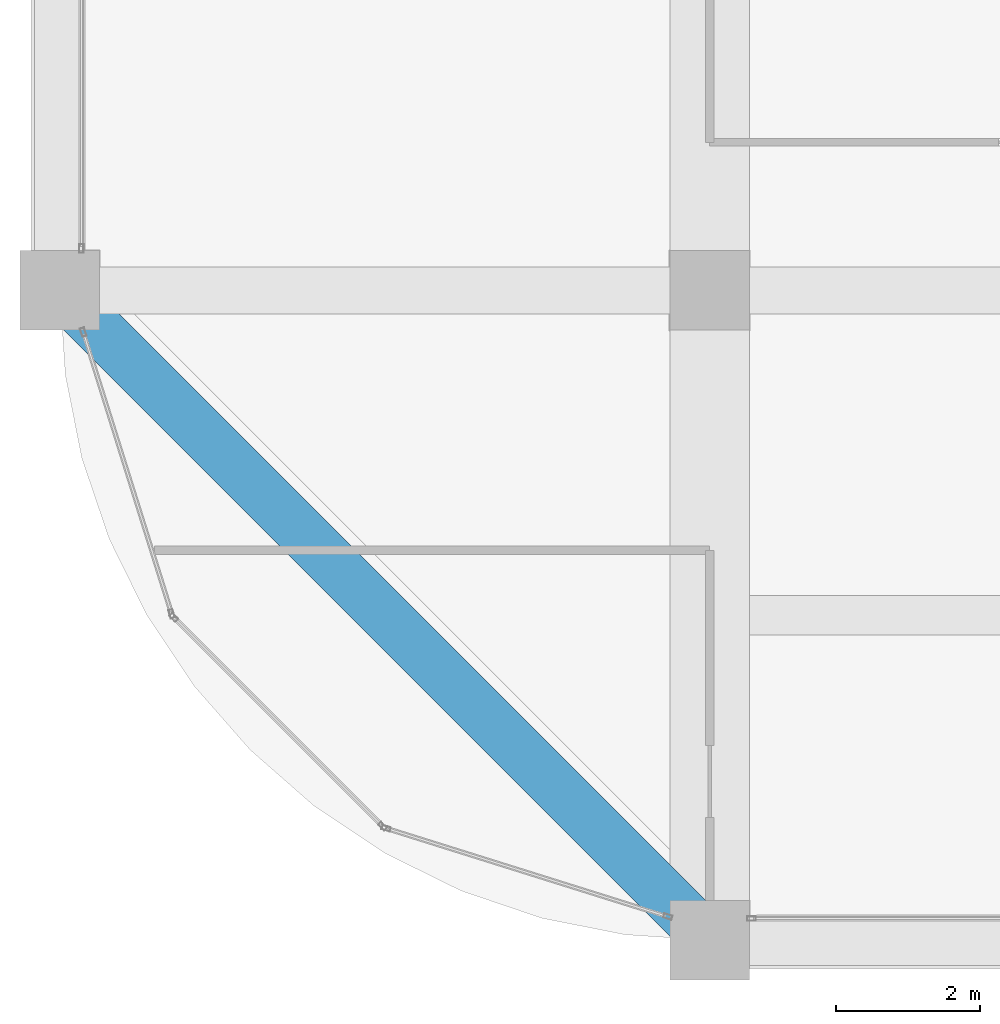
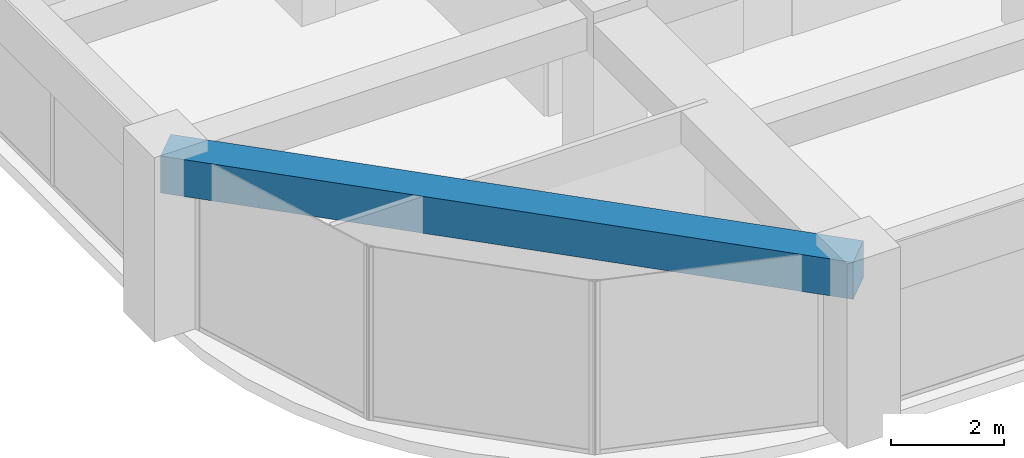
# One storey, part 3 of 44: 1 beam.
"""IFC4 building model written with IfcOpenShell, lengths in metres."""

from ifc_helpers import new_model, si_unit, direction, frame, origin, origin_2d, place, context, subcontext, project, spatial, rectangle, extrude, material, material_profile, profile_set, type_object, element, save


model = new_model("IFC4")

# Units and contexts
model_context = context("Model", 3, precision=1e-05, world=origin(), true_north=direction((0.0, 1.0)))
body_context = subcontext(model_context, "Body", "Model", "MODEL_VIEW")
ifc_project = project(units=[si_unit("LENGTHUNIT", "METRE"), si_unit("AREAUNIT", "SQUARE_METRE"), si_unit("VOLUMEUNIT", "CUBIC_METRE"), si_unit("PLANEANGLEUNIT", "RADIAN"), si_unit("MASSUNIT", "GRAM", prefix="KILO")], contexts=[model_context])

# Site, building, storey
site_placement = place(None, origin())
site = spatial("IfcSite", under=ifc_project, at=site_placement, CompositionType="ELEMENT")
building_placement = place(site_placement, origin())
building = spatial("IfcBuilding", under=site, at=building_placement, Name="Zorevar Civic Tower", CompositionType="ELEMENT")
storey_placement = place(building_placement, frame((0.0, 0.0, 251.39990234375)))
storey = spatial("IfcBuildingStorey", under=building, at=storey_placement, Name="L61", CompositionType="ELEMENT", Elevation=251.39990234375)

# Beam
ifc_material = material(Name="Concrete C50/60", Category="concrete")
ifc_material_profile = material_profile(ifc_material, rectangle(XDim=0.699951171875, YDim=0.800048828125, at=origin_2d()), Name="RC 700x800")
ifc_profile_set = profile_set([ifc_material_profile], Name="Concrete C50/60")
beam_type = type_object("IfcBeamType", Name="Edge beam RC 700x800", PredefinedType="SPANDREL", material=ifc_profile_set)
beam_placement = place(storey_placement, frame((9.0, 9.0, 3.35009765625), z_axis=(0.707106781187, -0.707106781187, 0.0), x_axis=(0.707106781187, 0.707106781187, 0.0)))
element("IfcBeam", 1, at=beam_placement, inside=storey, type_object=beam_type, Name="Corner edge beam L62", PredefinedType="SPANDREL", context=body_context, shape_type="SweptSolid", body=[
    extrude(rectangle(XDim=0.699951171875, YDim=0.800048828125, at=origin_2d()), origin(), (0.0, 0.0, 1.0), 12.72802734375),
])

save(model, "model.ifc")
